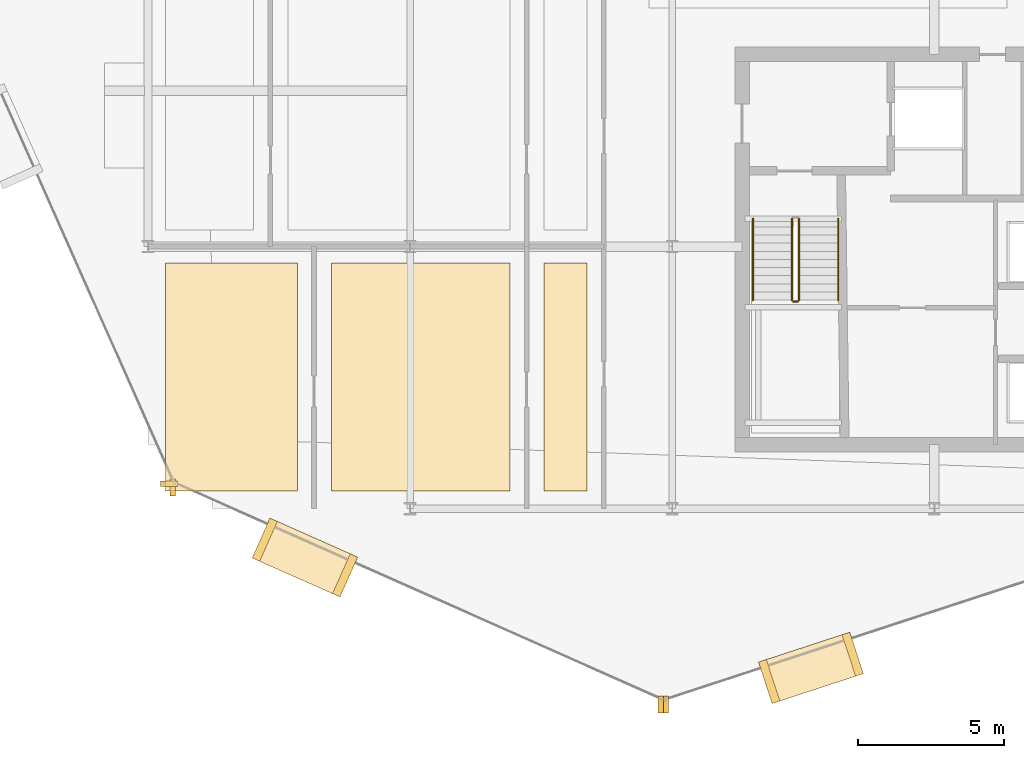
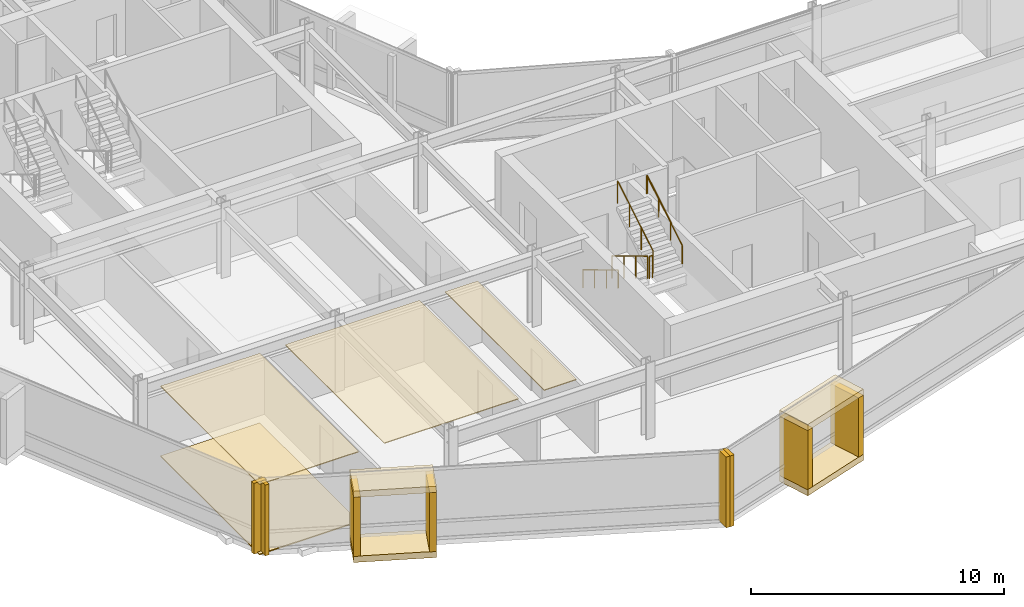
# One storey, part 22 of 27: 16 coverings, 5 railings.
"""IFC4 building model written with IfcOpenShell, lengths in metres."""

import ifcopenshell
import ifcopenshell.guid

model = None  # the IFC model being written
_history = None  # IfcOwnerHistory: only IFC2X3 demands one
_inside = {}  # id of a spatial element -> (the spatial element, [elements in it])
_under = {}  # id of a project, library or spatial element -> (it, [spatial elements below it])
_declared = {}  # id of a project -> (the project, [libraries it declares])
_typed = {}  # id of a type object -> (the type object, [elements of that type])
_made_of = {}  # id of a material, layer set ... -> (it, [elements and type objects made of it])


def new_model(schema):
    """Start an empty IFC model of exactly this schema.

    Asked for "IFC4X3", IfcOpenShell would pick the latest addendum, in which some entities
    have other attributes; the version numbers below select the first issue.
    IFC2X3 requires an IfcOwnerHistory on every rooted entity: one is made here for all.
    """
    global model, _history
    if schema == "IFC4X3":
        model = ifcopenshell.file(schema_version=(4, 3, 0, 0))
    else:
        model = ifcopenshell.file(schema=schema)
    _inside.clear()
    _under.clear()
    _declared.clear()
    _typed.clear()
    _made_of.clear()
    _history = None
    if model.schema == "IFC2X3":
        org = make("IfcOrganization", Name="unknown")
        user = make(
            "IfcPersonAndOrganization",
            ThePerson=make("IfcPerson", FamilyName="unknown"),
            TheOrganization=org,
        )
        app = make(
            "IfcApplication",
            ApplicationDeveloper=org,
            Version="unknown",
            ApplicationFullName="unknown",
            ApplicationIdentifier="unknown",
        )
        _history = make(
            "IfcOwnerHistory",
            OwningUser=user,
            OwningApplication=app,
            ChangeAction="ADDED",
            CreationDate=0,
        )
    return model


def make(cls, **values):
    """One entity of the class cls with the attributes given. An attribute that is None is left unset."""
    return model.create_entity(
        cls, **{name: value for name, value in values.items() if value is not None}
    )


def rooted(cls, **values):
    """An entity with a GlobalId (a new one), such as an element, a storey or a relation."""
    return make(cls, GlobalId=ifcopenshell.guid.new(), OwnerHistory=_history, **values)


def si_unit(unit_type, name, prefix=None):
    """IfcSIUnit, for example si_unit("LENGTHUNIT", "METRE", prefix="MILLI")."""
    return make("IfcSIUnit", UnitType=unit_type, Prefix=prefix, Name=name)


def assignment(units):
    """IfcUnitAssignment: the units of a project."""
    return None if units is None else make("IfcUnitAssignment", Units=units)


def point(xyz):
    """IfcCartesianPoint."""
    return None if xyz is None else make("IfcCartesianPoint", Coordinates=xyz)


def direction(xyz):
    """IfcDirection."""
    return None if xyz is None else make("IfcDirection", DirectionRatios=xyz)


def frame(location, z_axis=None, x_axis=None):
    """IfcAxis2Placement3D, a coordinate frame: its origin and axes. An axis left out is left unset."""
    return make(
        "IfcAxis2Placement3D",
        Location=point(location),
        Axis=direction(z_axis),
        RefDirection=direction(x_axis),
    )


def frame_2d(location, x_axis=None):
    """IfcAxis2Placement2D, a coordinate frame in the plane: its origin and x axis."""
    return make(
        "IfcAxis2Placement2D", Location=point(location), RefDirection=direction(x_axis)
    )


def origin():
    """The frame at (0, 0, 0) with its axes left unset."""
    return frame((0.0, 0.0, 0.0))


def origin_2d():
    """The frame at (0, 0) in the plane with its x axis left unset."""
    return frame_2d((0.0, 0.0))


def place(relative_to, where):
    """IfcLocalPlacement: puts the frame where relative to a parent placement (None: the world)."""
    return make(
        "IfcLocalPlacement", PlacementRelTo=relative_to, RelativePlacement=where
    )


def context(
    kind, dimensions, precision=None, world=None, true_north=None, identifier=None
):
    """IfcGeometricRepresentationContext, for example the 3D "Model" context."""
    return make(
        "IfcGeometricRepresentationContext",
        ContextIdentifier=identifier,
        ContextType=kind,
        CoordinateSpaceDimension=dimensions,
        Precision=precision,
        WorldCoordinateSystem=world,
        TrueNorth=true_north,
    )


def subcontext(parent, identifier, kind, view, scale=None):
    """IfcGeometricRepresentationSubContext, for example "Body" below "Model"."""
    return make(
        "IfcGeometricRepresentationSubContext",
        ContextIdentifier=identifier,
        ContextType=kind,
        ParentContext=parent,
        TargetScale=scale,
        TargetView=view,
    )


def project(units=None, contexts=None):
    """IfcProject with its units and contexts."""
    return rooted(
        "IfcProject",
        Name="project",
        RepresentationContexts=contexts,
        UnitsInContext=assignment(units),
    )


def spatial(cls, under=None, at=None, **own):
    """A site, building, storey or space (cls), placed at a placement, below another one or the project."""
    s = rooted(cls, ObjectPlacement=at, **own)
    if under is not None:
        _under.setdefault(under.id(), (under, []))[1].append(s)
    return s


def polyline(points):
    """IfcPolyline through the points."""
    return make("IfcPolyline", Points=[point(p) for p in points])


def profile(cls, at=None, kind="AREA", **sizes):
    """A parametric profile (cls). Its sizes go by their IFC names, for example OverallWidth=200.0."""
    return make(cls, ProfileType=kind, Position=at, **sizes)


def rectangle(**sizes):
    """IfcRectangleProfileDef."""
    return profile("IfcRectangleProfileDef", **sizes)


def circle(**sizes):
    """IfcCircleProfileDef."""
    return profile("IfcCircleProfileDef", **sizes)


def outline(outer, holes=None, kind="AREA"):
    """IfcArbitraryClosedProfileDef: a profile drawn as a closed curve; with holes, ...WithVoids."""
    if holes is None:
        return make("IfcArbitraryClosedProfileDef", ProfileType=kind, OuterCurve=outer)
    return make(
        "IfcArbitraryProfileDefWithVoids",
        ProfileType=kind,
        OuterCurve=outer,
        InnerCurves=holes,
    )


def extrude(swept, where, along, depth):
    """IfcExtrudedAreaSolid: the profile swept, set in the frame where, extruded along a direction by depth."""
    return make(
        "IfcExtrudedAreaSolid",
        SweptArea=swept,
        Position=where,
        ExtrudedDirection=direction(along),
        Depth=depth,
    )


def shape(context_of_items, identifier, shape_type, items):
    """IfcShapeRepresentation: the items that make up one representation, for example the "Body"."""
    return make(
        "IfcShapeRepresentation",
        ContextOfItems=context_of_items,
        RepresentationIdentifier=identifier,
        RepresentationType=shape_type,
        Items=items,
    )


def material(Name=None, Category=None):
    """IfcMaterial."""
    return make("IfcMaterial", Name=Name, Category=Category)


def layer(
    of_material, thickness, ventilated=None, Name=None, Category=None, Priority=None
):
    """IfcMaterialLayer: one layer of a wall or slab, of a material (None: an air gap)."""
    return make(
        "IfcMaterialLayer",
        Material=of_material,
        LayerThickness=thickness,
        IsVentilated=ventilated,
        Name=Name,
        Category=Category,
        Priority=Priority,
    )


def layer_set(layers, Name=None):
    """IfcMaterialLayerSet."""
    return make("IfcMaterialLayerSet", MaterialLayers=layers, LayerSetName=Name)


def made_of(thing, what):
    """Note that an element or type object is made of a material, layer set ...; save() writes the relation."""
    if what is not None:
        _made_of.setdefault(what.id(), (what, []))[1].append(thing)
    return thing


def type_object(cls, material=None, **own):
    """A type object (cls), such as IfcWallType, which elements share."""
    return made_of(rooted(cls, **own), material)


def element(
    cls,
    number,
    at=None,
    inside=None,
    cuts=None,
    type_object=None,
    material=None,
    context=None,
    identifier="Body",
    shape_type=None,
    held_by="IfcProductDefinitionShape",
    body=None,
    shapes=None,
    **own,
):
    """One element of the class cls, such as IfcWall. Its Tag is "e" and its number.

    at: its placement. inside: the storey or other place that contains it. cuts: it is an
    opening in that element (IfcRelVoidsElement). A single representation is given by context,
    identifier, shape_type and body (its items); several are given by shapes. held_by: the class
    of the entity that holds the representations. save() writes the other relations.
    """
    e = rooted(cls, Tag="e%d" % number, ObjectPlacement=at, **own)
    if body is not None:
        shapes = [shape(context, identifier, shape_type, body)]
    if shapes is not None:
        e.Representation = make(held_by, Representations=shapes)
    if inside is not None:
        _inside.setdefault(inside.id(), (inside, []))[1].append(e)
    if cuts is not None:
        rooted(
            "IfcRelVoidsElement", RelatingBuildingElement=cuts, RelatedOpeningElement=e
        )
    if type_object is not None:
        _typed.setdefault(type_object.id(), (type_object, []))[1].append(e)
    return made_of(e, material)


def aggregate(whole, parts):
    """IfcRelAggregates: a whole, such as a stair, and the parts it consists of."""
    return rooted("IfcRelAggregates", RelatingObject=whole, RelatedObjects=parts)


def save(model, path):
    """Write the relations noted so far, then the file.

    IfcRelAggregates (storeys below a building ...), IfcRelContainedInSpatialStructure (elements
    in a storey), IfcRelDefinesByType, IfcRelAssociatesMaterial and IfcRelDeclares: one each for
    every whole, place, type object, material and project.
    """
    for whole, parts in _under.values():
        aggregate(whole, parts)
    for where, things in _inside.values():
        rooted(
            "IfcRelContainedInSpatialStructure",
            RelatedElements=things,
            RelatingStructure=where,
        )
    for kind, things in _typed.values():
        rooted("IfcRelDefinesByType", RelatedObjects=things, RelatingType=kind)
    for what, things in _made_of.values():
        rooted("IfcRelAssociatesMaterial", RelatedObjects=things, RelatingMaterial=what)
    for by, libraries in _declared.values():
        rooted("IfcRelDeclares", RelatingContext=by, RelatedDefinitions=libraries)
    model.write(path)


model = new_model("IFC4")

# Units and contexts
model_context = context("Model", 3, precision=1e-05, world=origin(), true_north=direction((0.0, 1.0)))
body_context = subcontext(model_context, "Body", "Model", "MODEL_VIEW")
ifc_project = project(units=[si_unit("LENGTHUNIT", "METRE"), si_unit("AREAUNIT", "SQUARE_METRE"), si_unit("VOLUMEUNIT", "CUBIC_METRE"), si_unit("PLANEANGLEUNIT", "RADIAN"), si_unit("MASSUNIT", "GRAM", prefix="KILO")], contexts=[model_context])

# Site, building, storey
site_placement = place(None, origin())
site = spatial("IfcSite", under=ifc_project, at=site_placement, CompositionType="ELEMENT")
building_placement = place(site_placement, origin())
building = spatial("IfcBuilding", under=site, at=building_placement, Name="Solvaryn Broadcast Tower", CompositionType="ELEMENT")
storey_placement = place(building_placement, frame((0.0, 0.0, 189.0)))
storey = spatial("IfcBuildingStorey", under=building, at=storey_placement, Name="L47", CompositionType="ELEMENT", Elevation=189.0)

# Coverings
ifc_material_1 = material(Name="Micro-Perforated Acoustic Gypsum Ceiling", Category="concrete")
ifc_layer_1 = layer(ifc_material_1, 0.0400390625)
ifc_layer_set_1 = layer_set([ifc_layer_1], Name="CV-CEIL-ACOUSTIC")
covering_type_1 = type_object("IfcCoveringType", Name="CV-CEIL-ACOUSTIC", PredefinedType="CEILING", material=ifc_layer_set_1)
covering_1_placement = place(storey_placement, frame((0.0, 0.0, 3.3798828125)))
element("IfcCovering", 1, at=covering_1_placement, inside=storey, type_object=covering_type_1, Name="L47 Room Acoustic Ceiling 4", PredefinedType="CEILING", context=body_context, shape_type="SweptSolid", body=[
    extrude(outline(polyline([(9.60009765625, 9.60009765625), (14.1298828125, 9.60009765625), (14.1298828125, 17.429931640625), (9.60009765625, 17.429931640625), (9.60009765625, 9.60009765625)])), origin(), (0.0, 0.0, 1.0), 0.0400390625),
])
covering_2_placement = place(storey_placement, frame((0.0, 0.0, 3.3798828125)))
element("IfcCovering", 2, at=covering_2_placement, inside=storey, type_object=covering_type_1, Name="L47 Room Acoustic Ceiling 5", PredefinedType="CEILING", context=body_context, shape_type="SweptSolid", body=[
    extrude(outline(polyline([(15.300048828125, 9.60009765625), (21.429931640625, 9.60009765625), (21.429931640625, 17.429931640625), (15.300048828125, 17.429931640625), (15.300048828125, 9.60009765625)])), origin(), (0.0, 0.0, 1.0), 0.0400390625),
])
covering_3_placement = place(storey_placement, frame((0.0, 0.0, 3.3798828125)))
element("IfcCovering", 3, at=covering_3_placement, inside=storey, type_object=covering_type_1, Name="L47 Room Acoustic Ceiling 6", PredefinedType="CEILING", context=body_context, shape_type="SweptSolid", body=[
    extrude(outline(polyline([(22.60009765625, 9.60009765625), (24.080078125, 9.60009765625), (24.080078125, 17.429931640625), (22.60009765625, 17.429931640625), (22.60009765625, 9.60009765625)])), origin(), (0.0, 0.0, 1.0), 0.0400390625),
])
ifc_material_2 = material(Name="Newsroom Raised Data Access Flooring", Category="steel")
ifc_layer_2 = layer(ifc_material_2, 0.050048828125)
ifc_layer_set_2 = layer_set([ifc_layer_2], Name="CV-FLOOR-RAISED")
covering_type_2 = type_object("IfcCoveringType", Name="CV-FLOOR-RAISED", PredefinedType="FLOORING", material=ifc_layer_set_2)
covering_4_placement = place(storey_placement, origin())
element("IfcCovering", 4, at=covering_4_placement, inside=storey, type_object=covering_type_2, Name="L47 Room Acoustic Floor Finish 4", PredefinedType="FLOORING", context=body_context, shape_type="SweptSolid", body=[
    extrude(outline(polyline([(9.60009765625, 9.60009765625), (14.1298828125, 9.60009765625), (14.1298828125, 17.429931640625), (9.60009765625, 17.429931640625), (9.60009765625, 9.60009765625)])), origin(), (0.0, 0.0, 1.0), 0.050048828125),
])
ifc_material_3 = material(Name="Glazed Architectural Terracotta Rainscreen Cladding", Category="masonry")
ifc_layer_3 = layer(ifc_material_3, 0.280029296875)
ifc_layer_set_3 = layer_set([ifc_layer_3], Name="CV-TC-CLAD")
covering_type_3 = type_object("IfcCoveringType", Name="CV-TC-CLAD", PredefinedType="CLADDING", material=ifc_layer_set_3)
for number, where, z_axis, x_axis, name in (
    (5, (14.388916015625, 7.322998046875, 3.1298828125), (0.0, 0.0, 1.0), (0.913900054426, -0.405939269498, 0.0), "L47 Projecting Stone Window Box Hood 3"),
    (6, (14.388916015625, 7.322998046875, -0.01025390625), (0.0, 0.0, 1.0), (0.913900054426, -0.405939269498, 0.0), "L47 Projecting Stone Window Box Sill 3"),
):
    element("IfcCovering", number, at=place(storey_placement, frame(where, z_axis=z_axis, x_axis=x_axis)), inside=storey, type_object=covering_type_3, Name=name, PredefinedType="CLADDING", context=body_context, shape_type="SweptSolid", body=[
        extrude(rectangle(XDim=3.300048828125, YDim=1.5, at=origin_2d()), origin(), (0.0, 0.0, 1.0), 0.300048828125),
    ])
for number, where, z_axis, x_axis, name in (
    (7, (13.009033203125, 7.93603515625, 0.27978515625), (0.0, 0.0, 1.0), (0.913900054426, -0.405939269498, 0.0), "L47 Projecting Stone Window Box Cheek 3-1"),
    (8, (15.76904296875, 6.7099609375, 0.27978515625), (0.0, 0.0, 1.0), (0.913900054426, -0.405939269498, 0.0), "L47 Projecting Stone Window Box Cheek 3-2"),
):
    element("IfcCovering", number, at=place(storey_placement, frame(where, z_axis=z_axis, x_axis=x_axis)), inside=storey, type_object=covering_type_3, Name=name, PredefinedType="CLADDING", context=body_context, shape_type="SweptSolid", body=[
        extrude(rectangle(XDim=0.280029296875, YDim=1.5, at=origin_2d()), origin(), (0.0, 0.0, 1.0), 2.860107421875),
    ])
for number, where, z_axis, x_axis, name in (
    (9, (31.763916015625, 3.533935546875, 3.1298828125), (0.0, 0.0, 1.0), (0.950244253402, 0.311505792684, 0.0), "L47 Projecting Stone Window Box Hood 4"),
    (10, (31.763916015625, 3.533935546875, -0.01025390625), (0.0, 0.0, 1.0), (0.950244253402, 0.311505792684, 0.0), "L47 Projecting Stone Window Box Sill 4"),
):
    element("IfcCovering", number, at=place(storey_placement, frame(where, z_axis=z_axis, x_axis=x_axis)), inside=storey, type_object=covering_type_3, Name=name, PredefinedType="CLADDING", context=body_context, shape_type="SweptSolid", body=[
        extrude(rectangle(XDim=3.300048828125, YDim=1.5, at=origin_2d()), origin(), (0.0, 0.0, 1.0), 0.300048828125),
    ])
for number, where, z_axis, x_axis, name in (
    (11, (30.3291015625, 3.063720703125, 0.27978515625), (0.0, 0.0, 1.0), (0.950244253402, 0.311505792684, 0.0), "L47 Projecting Stone Window Box Cheek 4-1"),
    (12, (33.198974609375, 4.00439453125, 0.27978515625), (0.0, 0.0, 1.0), (0.950244253402, 0.311505792684, 0.0), "L47 Projecting Stone Window Box Cheek 4-2"),
):
    element("IfcCovering", number, at=place(storey_placement, frame(where, z_axis=z_axis, x_axis=x_axis)), inside=storey, type_object=covering_type_3, Name=name, PredefinedType="CLADDING", context=body_context, shape_type="SweptSolid", body=[
        extrude(rectangle(XDim=0.280029296875, YDim=1.5, at=origin_2d()), origin(), (0.0, 0.0, 1.0), 2.860107421875),
    ])
ifc_material_4 = material(Name="Extruded Architectural Terracotta Fin", Category="masonry")
ifc_layer_4 = layer(ifc_material_4, 0.179931640625)
ifc_layer_set_4 = layer_set([ifc_layer_4], Name="CV-TC-FIN")
covering_type_4 = type_object("IfcCoveringType", Name="CV-TC-FIN", PredefinedType="USERDEFINED", material=ifc_layer_set_4)
covering_5_placement = place(storey_placement, frame((9.7216796875, 9.852783203125, 0.0), z_axis=(0.0, 0.0, 1.0), x_axis=(1.0, 0.0, 0.0)))
element("IfcCovering", 13, at=covering_5_placement, inside=storey, type_object=covering_type_4, Name="L47 Terracotta Vertical Fin FIN-L47-DR2-M01", ObjectType="FIN", PredefinedType="USERDEFINED", context=body_context, shape_type="SweptSolid", body=[
    extrude(rectangle(XDim=0.580078125, YDim=0.179931640625, at=origin_2d()), origin(), (0.0, 0.0, 1.0), 3.419921875),
])
for number, where, z_axis, x_axis, name in (
    (14, (9.852783203125, 9.7216796875, 0.0), (0.0, 0.0, 1.0), (1.0, 0.0, 0.0), "L47 Terracotta Vertical Fin FIN-L47-DR3-M00"),
    (15, (26.605712890625, 2.281005859375, 0.0), (0.0, 0.0, 1.0), (1.0, 0.0, 0.0), "L47 Terracotta Vertical Fin FIN-L47-DR3-M01"),
    (16, (26.790771484375, 2.271240234375, 0.0), (0.0, 0.0, 1.0), (1.0, 0.0, 0.0), "L47 Terracotta Vertical Fin FIN-L47-DR4-M00"),
):
    element("IfcCovering", number, at=place(storey_placement, frame(where, z_axis=z_axis, x_axis=x_axis)), inside=storey, type_object=covering_type_4, Name=name, ObjectType="FIN", PredefinedType="USERDEFINED", context=body_context, shape_type="SweptSolid", body=[
        extrude(rectangle(XDim=0.179931640625, YDim=0.580078125, at=origin_2d()), origin(), (0.0, 0.0, 1.0), 3.419921875),
    ])

# Railings
ifc_material_5 = material(Name="Painted Steel Stair Well Guard", Category="steel")
railing_type_1 = type_object("IfcRailingType", Name="RL-STAIR-GUARD", PredefinedType="BALUSTRADE", material=ifc_material_5)
railing_1_placement = place(storey_placement, frame((31.110107421875, 18.9599609375, 0.168212890625)))
element("IfcRailing", 17, at=railing_1_placement, inside=storey, type_object=railing_type_1, Name="L47 ST3 stair guard 1", PredefinedType="BALUSTRADE", context=body_context, shape_type="SweptSolid", body=[
    extrude(circle(Radius=0.02392578125, at=origin_2d()), frame((0.0, 0.0, 1.076171875), z_axis=(0.0, -0.857242210791, 0.514913383045), x_axis=(1.0, 0.0, 0.0)), (0.0, 0.0, 1.0), 3.266357421875),
    extrude(circle(Radius=0.02099609375, at=origin_2d()), origin(), (0.0, 0.0, 1.0), 1.052001953125),
    extrude(circle(Radius=0.02099609375, at=origin_2d()), frame((0.0, -0.933349609375, 0.560546875)), (0.0, 0.0, 1.0), 1.052001953125),
    extrude(circle(Radius=0.02099609375, at=origin_2d()), frame((0.0, -1.86669921875, 1.121337890625)), (0.0, 0.0, 1.0), 1.052001953125),
    extrude(circle(Radius=0.02099609375, at=origin_2d()), frame((0.0, -2.800048828125, 1.681884765625)), (0.0, 0.0, 1.0), 1.052001953125),
])
railing_2_placement = place(storey_placement, frame((31.159912109375, 16.110107421875, 1.85009765625)))
element("IfcRailing", 18, at=railing_2_placement, inside=storey, type_object=railing_type_1, Name="L47 ST3 stair guard 2", PredefinedType="BALUSTRADE", context=body_context, shape_type="SweptSolid", body=[
    extrude(circle(Radius=0.02392578125, at=origin_2d()), frame((0.0, 0.0, 1.076171875), z_axis=(1.0, 0.0, 0.0), x_axis=(0.0, 1.0, 0.0)), (0.0, 0.0, 1.0), 0.150146484375),
    extrude(circle(Radius=0.02099609375, at=origin_2d()), origin(), (0.0, 0.0, 1.0), 1.052001953125),
    extrude(circle(Radius=0.02099609375, at=origin_2d()), frame((0.150146484375, 0.0, 0.0)), (0.0, 0.0, 1.0), 1.052001953125),
])
railing_3_placement = place(storey_placement, frame((31.360107421875, 16.159912109375, 2.01806640625)))
element("IfcRailing", 19, at=railing_3_placement, inside=storey, type_object=railing_type_1, Name="L47 ST3 stair guard 3", PredefinedType="BALUSTRADE", context=body_context, shape_type="SweptSolid", body=[
    extrude(circle(Radius=0.02392578125, at=origin_2d()), frame((0.0, 0.0, 1.076171875), z_axis=(0.0, 0.857242210791, 0.514913383045), x_axis=(-1.0, 0.0, 0.0)), (0.0, 0.0, 1.0), 3.266357421875),
    extrude(circle(Radius=0.02099609375, at=origin_2d()), origin(), (0.0, 0.0, 1.0), 1.052001953125),
    extrude(circle(Radius=0.02099609375, at=origin_2d()), frame((0.0, 0.933349609375, 0.560546875)), (0.0, 0.0, 1.0), 1.052001953125),
    extrude(circle(Radius=0.02099609375, at=origin_2d()), frame((0.0, 1.86669921875, 1.121337890625)), (0.0, 0.0, 1.0), 1.052001953125),
    extrude(circle(Radius=0.02099609375, at=origin_2d()), frame((0.0, 2.800048828125, 1.681884765625)), (0.0, 0.0, 1.0), 1.052001953125),
])
ifc_material_6 = material(Name="Brushed Stainless Steel Tubular Handrail", Category="steel")
railing_type_2 = type_object("IfcRailingType", Name="RL-STAIR-HANDRAIL", PredefinedType="HANDRAIL", material=ifc_material_6)
railing_4_placement = place(storey_placement, frame((29.77001953125, 18.9599609375, 0.168212890625)))
element("IfcRailing", 20, at=railing_4_placement, inside=storey, type_object=railing_type_2, Name="L47 ST3 stair handrail 1", PredefinedType="HANDRAIL", context=body_context, shape_type="SweptSolid", body=[
    extrude(circle(Radius=0.02392578125, at=origin_2d()), frame((0.0, 0.0, 0.8759765625), z_axis=(0.0, -0.857242210791, 0.514913383045), x_axis=(1.0, 0.0, 0.0)), (0.0, 0.0, 1.0), 3.266357421875),
    extrude(circle(Radius=0.02099609375, at=origin_2d()), origin(), (0.0, 0.0, 1.0), 0.851806640625),
    extrude(circle(Radius=0.02099609375, at=origin_2d()), frame((0.0, -0.933349609375, 0.560546875)), (0.0, 0.0, 1.0), 0.851806640625),
    extrude(circle(Radius=0.02099609375, at=origin_2d()), frame((0.0, -1.86669921875, 1.121337890625)), (0.0, 0.0, 1.0), 0.851806640625),
    extrude(circle(Radius=0.02099609375, at=origin_2d()), frame((0.0, -2.800048828125, 1.681884765625)), (0.0, 0.0, 1.0), 0.851806640625),
])
railing_5_placement = place(storey_placement, frame((32.699951171875, 16.159912109375, 2.01806640625)))
element("IfcRailing", 21, at=railing_5_placement, inside=storey, type_object=railing_type_2, Name="L47 ST3 stair handrail 2", PredefinedType="HANDRAIL", context=body_context, shape_type="SweptSolid", body=[
    extrude(circle(Radius=0.02392578125, at=origin_2d()), frame((0.0, 0.0, 0.8759765625), z_axis=(0.0, 0.857242210791, 0.514913383045), x_axis=(-1.0, 0.0, 0.0)), (0.0, 0.0, 1.0), 3.266357421875),
    extrude(circle(Radius=0.02099609375, at=origin_2d()), origin(), (0.0, 0.0, 1.0), 0.851806640625),
    extrude(circle(Radius=0.02099609375, at=origin_2d()), frame((0.0, 0.933349609375, 0.560546875)), (0.0, 0.0, 1.0), 0.851806640625),
    extrude(circle(Radius=0.02099609375, at=origin_2d()), frame((0.0, 1.86669921875, 1.121337890625)), (0.0, 0.0, 1.0), 0.851806640625),
    extrude(circle(Radius=0.02099609375, at=origin_2d()), frame((0.0, 2.800048828125, 1.681884765625)), (0.0, 0.0, 1.0), 0.851806640625),
])

save(model, "model.ifc")
